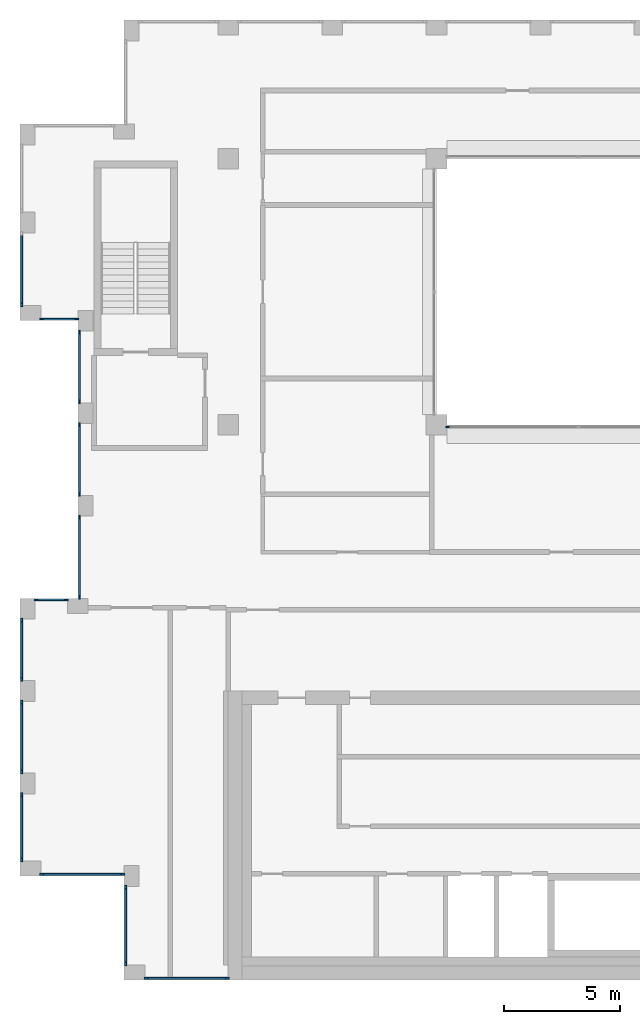
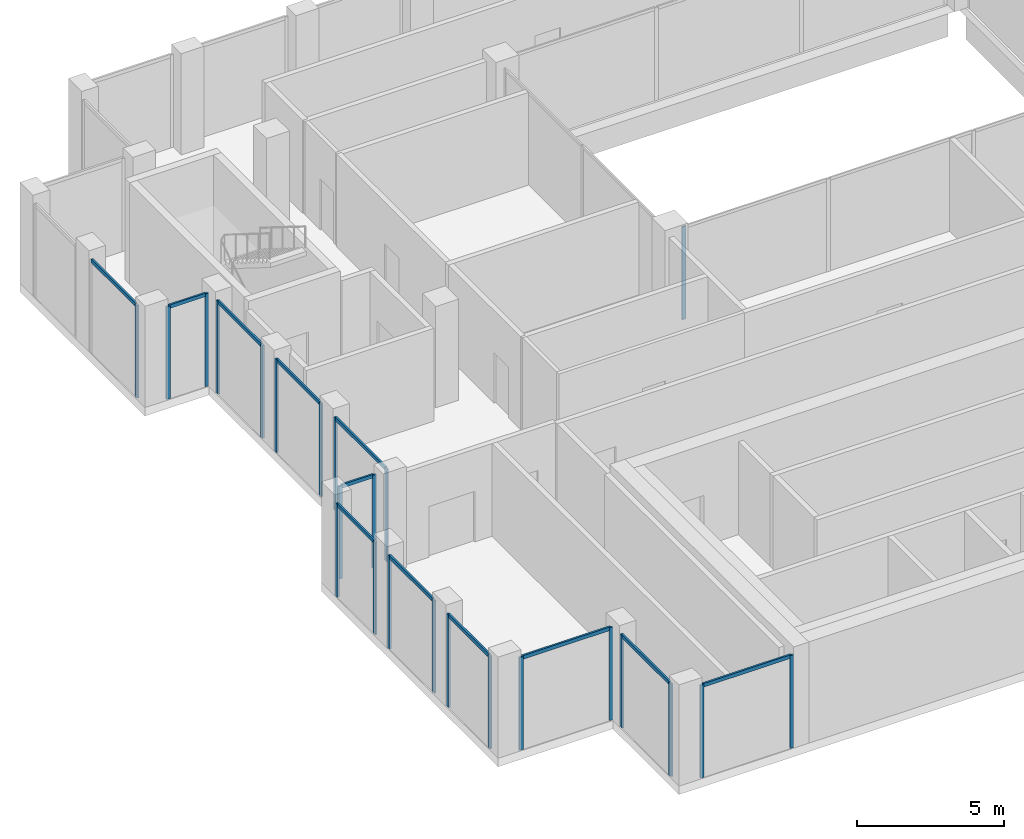
# One storey, part 2 of 15: 36 members, 13 elements without a shape of their own.
"""IFC4 building model written with IfcOpenShell, lengths in metres."""

from ifc_helpers import new_model, si_unit, direction, frame, origin, origin_2d, place, context, subcontext, project, spatial, rectangle, extrude, material, layer, layer_set, material_profile, profile_set, type_object, element, aggregate, save


model = new_model("IFC4")

# Units and contexts
model_context = context("Model", 3, precision=1e-05, world=origin(), true_north=direction((0.0, 1.0)))
body_context = subcontext(model_context, "Body", "Model", "MODEL_VIEW")
ifc_project = project(units=[si_unit("LENGTHUNIT", "METRE"), si_unit("AREAUNIT", "SQUARE_METRE"), si_unit("VOLUMEUNIT", "CUBIC_METRE"), si_unit("PLANEANGLEUNIT", "RADIAN"), si_unit("MASSUNIT", "GRAM", prefix="KILO")], contexts=[model_context])

# Site, building, storey
site_placement = place(None, origin())
site = spatial("IfcSite", under=ifc_project, at=site_placement, CompositionType="ELEMENT")
building_placement = place(site_placement, origin())
building = spatial("IfcBuilding", under=site, at=building_placement, Name="Brigalow Station Residences", CompositionType="ELEMENT")
storey_placement = place(building_placement, frame((0.0, 0.0, 240.0)))
storey = spatial("IfcBuildingStorey", under=building, at=storey_placement, Name="L69", CompositionType="ELEMENT", Elevation=240.0)

# Curtain wall, member
ifc_material_1 = material(Name="Aluminium", Category="aluminium")
ifc_layer_1 = layer(ifc_material_1, 0.14990234375)
ifc_layer_set_1 = layer_set([ifc_layer_1], Name="ATRIUM FIRE-RATED GLAZING CURTAIN WALL")
curtain_wall_type_1 = type_object("IfcCurtainWallType", Name="ATRIUM FIRE-RATED GLAZING CURTAIN WALL", PredefinedType="NOTDEFINED", material=ifc_layer_set_1)
curtain_wall_1_placement = place(storey_placement, origin())
curtain_wall_1 = element("IfcCurtainWall", 1, at=curtain_wall_1_placement, inside=storey, type_object=curtain_wall_type_1, Name="L69/cw/atrium-S", PredefinedType="NOTDEFINED")
ifc_material_2 = material(Name="Aluminium", Category="aluminium")
ifc_material_profile_1 = material_profile(ifc_material_2, rectangle(XDim=0.06005859375, YDim=0.14990234375, at=origin_2d()), Name="ATRIUM FIRE-RATED GLAZING MULLION 60x150")
ifc_profile_set_1 = profile_set([ifc_material_profile_1], Name="Aluminium")
member_type_1 = type_object("IfcMemberType", Name="ATRIUM FIRE-RATED GLAZING MULLION 60x150", PredefinedType="MULLION", material=ifc_profile_set_1)
member_1_placement = place(storey_placement, frame((27.47998046875, 23.89990234375, 0.0), z_axis=(0.0, 0.0, 1.0), x_axis=(0.0, 1.0, 0.0)))
member_1 = element("IfcMember", 2, at=member_1_placement, type_object=member_type_1, Name="L69/cw/atrium-S/M00", PredefinedType="MULLION", context=body_context, shape_type="SweptSolid", body=[
    extrude(rectangle(XDim=0.06005859375, YDim=0.14990234375, at=origin_2d()), origin(), (0.0, 0.0, 1.0), 3.85009765625),
])
aggregate(curtain_wall_1, [member_1])

# Curtain wall, members
ifc_material_3 = material(Name="Aluminium", Category="aluminium")
ifc_layer_2 = layer(ifc_material_3, 0.14990234375)
ifc_layer_set_2 = layer_set([ifc_layer_2], Name="CROWN CURTAIN WALL")
curtain_wall_type_2 = type_object("IfcCurtainWallType", Name="CROWN CURTAIN WALL", PredefinedType="NOTDEFINED", material=ifc_layer_set_2)
curtain_wall_2_placement = place(storey_placement, origin())
curtain_wall_2 = element("IfcCurtainWall", 3, at=curtain_wall_2_placement, inside=storey, type_object=curtain_wall_type_2, Name="L69/cw/crown-W-L69-1-1", PredefinedType="NOTDEFINED")
ifc_material_4 = material(Name="Aluminium", Category="aluminium")
ifc_material_profile_2 = material_profile(ifc_material_4, rectangle(XDim=0.074951171875, YDim=0.14990234375, at=origin_2d()), Name="CROWN MULLION 75x150")
ifc_profile_set_2 = profile_set([ifc_material_profile_2], Name="Aluminium")
member_type_2 = type_object("IfcMemberType", Name="CROWN MULLION 75x150", PredefinedType="MULLION", material=ifc_profile_set_2)
member_2_placement = place(storey_placement, frame((14.4375, 0.074951171875, 0.0), z_axis=(0.0, 0.0, 1.0), x_axis=(0.0, 1.0, 0.0)))
member_2 = element("IfcMember", 4, at=member_2_placement, type_object=member_type_2, Name="L69/cw/crown-W-L69-1-1/M00", PredefinedType="MULLION", context=body_context, shape_type="SweptSolid", body=[
    extrude(rectangle(XDim=0.074951171875, YDim=0.14990234375, at=origin_2d()), origin(), (0.0, 0.0, 1.0), 3.85009765625),
])
member_3_placement = place(storey_placement, frame((17.96240234375, 0.074951171875, 0.0), z_axis=(0.0, 0.0, 1.0), x_axis=(0.0, 1.0, 0.0)))
member_3 = element("IfcMember", 5, at=member_3_placement, type_object=member_type_2, Name="L69/cw/crown-W-L69-1-1/M01", PredefinedType="MULLION", context=body_context, shape_type="SweptSolid", body=[
    extrude(rectangle(XDim=0.074951171875, YDim=0.14990234375, at=origin_2d()), origin(), (0.0, 0.0, 1.0), 3.85009765625),
])

# Curtain wall, member
curtain_wall_3_placement = place(storey_placement, origin())
curtain_wall_3 = element("IfcCurtainWall", 6, at=curtain_wall_3_placement, inside=storey, type_object=curtain_wall_type_2, Name="L69/cw/crown-W-L69-34-34", PredefinedType="NOTDEFINED")
member_4_placement = place(storey_placement, frame((9.074951171875, 29.1875, 0.0), z_axis=(0.0, 0.0, 1.0), x_axis=(1.0, 0.0, 0.0)))
member_4 = element("IfcMember", 7, at=member_4_placement, type_object=member_type_2, Name="L69/cw/crown-W-L69-34-34/M01", PredefinedType="MULLION", context=body_context, shape_type="SweptSolid", body=[
    extrude(rectangle(XDim=0.074951171875, YDim=0.14990234375, at=origin_2d()), origin(), (0.0, 0.0, 1.0), 3.85009765625),
])

# Curtain wall, members
curtain_wall_4_placement = place(storey_placement, origin())
curtain_wall_4 = element("IfcCurtainWall", 8, at=curtain_wall_4_placement, inside=storey, type_object=curtain_wall_type_2, Name="L69/cw/crown-W-L69-36-35", PredefinedType="NOTDEFINED")
member_5_placement = place(storey_placement, frame((9.9375, 28.574951171875, 0.0), z_axis=(0.0, 0.0, 1.0), x_axis=(0.0, 1.0, 0.0)))
member_5 = element("IfcMember", 9, at=member_5_placement, type_object=member_type_2, Name="L69/cw/crown-W-L69-36-35/M00", PredefinedType="MULLION", context=body_context, shape_type="SweptSolid", body=[
    extrude(rectangle(XDim=0.074951171875, YDim=0.14990234375, at=origin_2d()), origin(), (0.0, 0.0, 1.0), 3.85009765625),
])
member_6_placement = place(storey_placement, frame((11.46240234375, 28.574951171875, 0.0), z_axis=(0.0, 0.0, 1.0), x_axis=(0.0, 1.0, 0.0)))
member_6 = element("IfcMember", 10, at=member_6_placement, type_object=member_type_2, Name="L69/cw/crown-W-L69-36-35/M01", PredefinedType="MULLION", context=body_context, shape_type="SweptSolid", body=[
    extrude(rectangle(XDim=0.074951171875, YDim=0.14990234375, at=origin_2d()), origin(), (0.0, 0.0, 1.0), 3.85009765625),
])

curtain_wall_5_placement = place(storey_placement, origin())
curtain_wall_5 = element("IfcCurtainWall", 11, at=curtain_wall_5_placement, inside=storey, type_object=curtain_wall_type_2, Name="L69/cw/crown-W-L69-37-36", PredefinedType="NOTDEFINED")
member_7_placement = place(storey_placement, frame((11.574951171875, 28.012451171875, 0.0), z_axis=(0.0, 0.0, 1.0), x_axis=(1.0, 0.0, 0.0)))
member_7 = element("IfcMember", 12, at=member_7_placement, type_object=member_type_2, Name="L69/cw/crown-W-L69-37-36/M00", PredefinedType="MULLION", context=body_context, shape_type="SweptSolid", body=[
    extrude(rectangle(XDim=0.074951171875, YDim=0.14990234375, at=origin_2d()), origin(), (0.0, 0.0, 1.0), 3.85009765625),
])
member_8_placement = place(storey_placement, frame((11.574951171875, 24.987548828125, 0.0), z_axis=(0.0, 0.0, 1.0), x_axis=(1.0, 0.0, 0.0)))
member_8 = element("IfcMember", 13, at=member_8_placement, type_object=member_type_2, Name="L69/cw/crown-W-L69-37-36/M01", PredefinedType="MULLION", context=body_context, shape_type="SweptSolid", body=[
    extrude(rectangle(XDim=0.074951171875, YDim=0.14990234375, at=origin_2d()), origin(), (0.0, 0.0, 1.0), 3.85009765625),
])

curtain_wall_6_placement = place(storey_placement, origin())
curtain_wall_6 = element("IfcCurtainWall", 14, at=curtain_wall_6_placement, inside=storey, type_object=curtain_wall_type_2, Name="L69/cw/crown-W-L69-37-37", PredefinedType="NOTDEFINED")
member_9_placement = place(storey_placement, frame((11.574951171875, 24.012451171875, 0.0), z_axis=(0.0, 0.0, 1.0), x_axis=(1.0, 0.0, 0.0)))
member_9 = element("IfcMember", 15, at=member_9_placement, type_object=member_type_2, Name="L69/cw/crown-W-L69-37-37/M00", PredefinedType="MULLION", context=body_context, shape_type="SweptSolid", body=[
    extrude(rectangle(XDim=0.074951171875, YDim=0.14990234375, at=origin_2d()), origin(), (0.0, 0.0, 1.0), 3.85009765625),
])
member_10_placement = place(storey_placement, frame((11.574951171875, 20.987548828125, 0.0), z_axis=(0.0, 0.0, 1.0), x_axis=(1.0, 0.0, 0.0)))
member_10 = element("IfcMember", 16, at=member_10_placement, type_object=member_type_2, Name="L69/cw/crown-W-L69-37-37/M01", PredefinedType="MULLION", context=body_context, shape_type="SweptSolid", body=[
    extrude(rectangle(XDim=0.074951171875, YDim=0.14990234375, at=origin_2d()), origin(), (0.0, 0.0, 1.0), 3.85009765625),
])

curtain_wall_7_placement = place(storey_placement, origin())
curtain_wall_7 = element("IfcCurtainWall", 17, at=curtain_wall_7_placement, inside=storey, type_object=curtain_wall_type_2, Name="L69/cw/crown-W-L69-37-38", PredefinedType="NOTDEFINED")
member_11_placement = place(storey_placement, frame((11.574951171875, 20.012451171875, 0.0), z_axis=(0.0, 0.0, 1.0), x_axis=(1.0, 0.0, 0.0)))
member_11 = element("IfcMember", 18, at=member_11_placement, type_object=member_type_2, Name="L69/cw/crown-W-L69-37-38/M00", PredefinedType="MULLION", context=body_context, shape_type="SweptSolid", body=[
    extrude(rectangle(XDim=0.074951171875, YDim=0.14990234375, at=origin_2d()), origin(), (0.0, 0.0, 1.0), 3.85009765625),
])
member_12_placement = place(storey_placement, frame((11.574951171875, 16.53759765625, 0.0), z_axis=(0.0, 0.0, 1.0), x_axis=(1.0, 0.0, 0.0)))
member_12 = element("IfcMember", 19, at=member_12_placement, type_object=member_type_2, Name="L69/cw/crown-W-L69-37-38/M01", PredefinedType="MULLION", context=body_context, shape_type="SweptSolid", body=[
    extrude(rectangle(XDim=0.074951171875, YDim=0.14990234375, at=origin_2d()), origin(), (0.0, 0.0, 1.0), 3.85009765625),
])

curtain_wall_8_placement = place(storey_placement, origin())
curtain_wall_8 = element("IfcCurtainWall", 20, at=curtain_wall_8_placement, inside=storey, type_object=curtain_wall_type_2, Name="L69/cw/crown-W-L69-40-39", PredefinedType="NOTDEFINED")
member_13_placement = place(storey_placement, frame((11.012451171875, 16.425048828125, 0.0), z_axis=(0.0, 0.0, 1.0), x_axis=(0.0, -1.0, 0.0)))
member_13 = element("IfcMember", 21, at=member_13_placement, type_object=member_type_2, Name="L69/cw/crown-W-L69-40-39/M00", PredefinedType="MULLION", context=body_context, shape_type="SweptSolid", body=[
    extrude(rectangle(XDim=0.074951171875, YDim=0.14990234375, at=origin_2d()), origin(), (0.0, 0.0, 1.0), 3.85009765625),
])
member_14_placement = place(storey_placement, frame((9.6875, 16.425048828125, 0.0), z_axis=(0.0, 0.0, 1.0), x_axis=(0.0, -1.0, 0.0)))
member_14 = element("IfcMember", 22, at=member_14_placement, type_object=member_type_2, Name="L69/cw/crown-W-L69-40-39/M01", PredefinedType="MULLION", context=body_context, shape_type="SweptSolid", body=[
    extrude(rectangle(XDim=0.074951171875, YDim=0.14990234375, at=origin_2d()), origin(), (0.0, 0.0, 1.0), 3.85009765625),
])

curtain_wall_9_placement = place(storey_placement, origin())
curtain_wall_9 = element("IfcCurtainWall", 23, at=curtain_wall_9_placement, inside=storey, type_object=curtain_wall_type_2, Name="L69/cw/crown-W-L69-41-40", PredefinedType="NOTDEFINED")
member_15_placement = place(storey_placement, frame((9.074951171875, 15.5625, 0.0), z_axis=(0.0, 0.0, 1.0), x_axis=(1.0, 0.0, 0.0)))
member_15 = element("IfcMember", 24, at=member_15_placement, type_object=member_type_2, Name="L69/cw/crown-W-L69-41-40/M00", PredefinedType="MULLION", context=body_context, shape_type="SweptSolid", body=[
    extrude(rectangle(XDim=0.074951171875, YDim=0.14990234375, at=origin_2d()), origin(), (0.0, 0.0, 1.0), 3.85009765625),
])
member_16_placement = place(storey_placement, frame((9.074951171875, 12.987548828125, 0.0), z_axis=(0.0, 0.0, 1.0), x_axis=(1.0, 0.0, 0.0)))
member_16 = element("IfcMember", 25, at=member_16_placement, type_object=member_type_2, Name="L69/cw/crown-W-L69-41-40/M01", PredefinedType="MULLION", context=body_context, shape_type="SweptSolid", body=[
    extrude(rectangle(XDim=0.074951171875, YDim=0.14990234375, at=origin_2d()), origin(), (0.0, 0.0, 1.0), 3.85009765625),
])

curtain_wall_10_placement = place(storey_placement, origin())
curtain_wall_10 = element("IfcCurtainWall", 26, at=curtain_wall_10_placement, inside=storey, type_object=curtain_wall_type_2, Name="L69/cw/crown-W-L69-41-41", PredefinedType="NOTDEFINED")
member_17_placement = place(storey_placement, frame((9.074951171875, 12.012451171875, 0.0), z_axis=(0.0, 0.0, 1.0), x_axis=(1.0, 0.0, 0.0)))
member_17 = element("IfcMember", 27, at=member_17_placement, type_object=member_type_2, Name="L69/cw/crown-W-L69-41-41/M00", PredefinedType="MULLION", context=body_context, shape_type="SweptSolid", body=[
    extrude(rectangle(XDim=0.074951171875, YDim=0.14990234375, at=origin_2d()), origin(), (0.0, 0.0, 1.0), 3.85009765625),
])
member_18_placement = place(storey_placement, frame((9.074951171875, 8.987548828125, 0.0), z_axis=(0.0, 0.0, 1.0), x_axis=(1.0, 0.0, 0.0)))
member_18 = element("IfcMember", 28, at=member_18_placement, type_object=member_type_2, Name="L69/cw/crown-W-L69-41-41/M01", PredefinedType="MULLION", context=body_context, shape_type="SweptSolid", body=[
    extrude(rectangle(XDim=0.074951171875, YDim=0.14990234375, at=origin_2d()), origin(), (0.0, 0.0, 1.0), 3.85009765625),
])

curtain_wall_11_placement = place(storey_placement, origin())
curtain_wall_11 = element("IfcCurtainWall", 29, at=curtain_wall_11_placement, inside=storey, type_object=curtain_wall_type_2, Name="L69/cw/crown-W-L69-41-42", PredefinedType="NOTDEFINED")
member_19_placement = place(storey_placement, frame((9.074951171875, 8.012451171875, 0.0), z_axis=(0.0, 0.0, 1.0), x_axis=(1.0, 0.0, 0.0)))
member_19 = element("IfcMember", 30, at=member_19_placement, type_object=member_type_2, Name="L69/cw/crown-W-L69-41-42/M00", PredefinedType="MULLION", context=body_context, shape_type="SweptSolid", body=[
    extrude(rectangle(XDim=0.074951171875, YDim=0.14990234375, at=origin_2d()), origin(), (0.0, 0.0, 1.0), 3.85009765625),
])
member_20_placement = place(storey_placement, frame((9.074951171875, 5.1875, 0.0), z_axis=(0.0, 0.0, 1.0), x_axis=(1.0, 0.0, 0.0)))
member_20 = element("IfcMember", 31, at=member_20_placement, type_object=member_type_2, Name="L69/cw/crown-W-L69-41-42/M01", PredefinedType="MULLION", context=body_context, shape_type="SweptSolid", body=[
    extrude(rectangle(XDim=0.074951171875, YDim=0.14990234375, at=origin_2d()), origin(), (0.0, 0.0, 1.0), 3.85009765625),
])

curtain_wall_12_placement = place(storey_placement, origin())
curtain_wall_12 = element("IfcCurtainWall", 32, at=curtain_wall_12_placement, inside=storey, type_object=curtain_wall_type_2, Name="L69/cw/crown-W-L69-44-43", PredefinedType="NOTDEFINED")
member_21_placement = place(storey_placement, frame((9.9375, 4.574951171875, 0.0), z_axis=(0.0, 0.0, 1.0), x_axis=(0.0, 1.0, 0.0)))
member_21 = element("IfcMember", 33, at=member_21_placement, type_object=member_type_2, Name="L69/cw/crown-W-L69-44-43/M00", PredefinedType="MULLION", context=body_context, shape_type="SweptSolid", body=[
    extrude(rectangle(XDim=0.074951171875, YDim=0.14990234375, at=origin_2d()), origin(), (0.0, 0.0, 1.0), 3.85009765625),
])
member_22_placement = place(storey_placement, frame((13.46240234375, 4.574951171875, 0.0), z_axis=(0.0, 0.0, 1.0), x_axis=(0.0, 1.0, 0.0)))
member_22 = element("IfcMember", 34, at=member_22_placement, type_object=member_type_2, Name="L69/cw/crown-W-L69-44-43/M01", PredefinedType="MULLION", context=body_context, shape_type="SweptSolid", body=[
    extrude(rectangle(XDim=0.074951171875, YDim=0.14990234375, at=origin_2d()), origin(), (0.0, 0.0, 1.0), 3.85009765625),
])

curtain_wall_13_placement = place(storey_placement, origin())
curtain_wall_13 = element("IfcCurtainWall", 35, at=curtain_wall_13_placement, inside=storey, type_object=curtain_wall_type_2, Name="L69/cw/crown-W-L69-45-44", PredefinedType="NOTDEFINED")
member_23_placement = place(storey_placement, frame((13.574951171875, 4.012451171875, 0.0), z_axis=(0.0, 0.0, 1.0), x_axis=(1.0, 0.0, 0.0)))
member_23 = element("IfcMember", 36, at=member_23_placement, type_object=member_type_2, Name="L69/cw/crown-W-L69-45-44/M00", PredefinedType="MULLION", context=body_context, shape_type="SweptSolid", body=[
    extrude(rectangle(XDim=0.074951171875, YDim=0.14990234375, at=origin_2d()), origin(), (0.0, 0.0, 1.0), 3.85009765625),
])
member_24_placement = place(storey_placement, frame((13.574951171875, 0.6875, 0.0), z_axis=(0.0, 0.0, 1.0), x_axis=(1.0, 0.0, 0.0)))
member_24 = element("IfcMember", 37, at=member_24_placement, type_object=member_type_2, Name="L69/cw/crown-W-L69-45-44/M01", PredefinedType="MULLION", context=body_context, shape_type="SweptSolid", body=[
    extrude(rectangle(XDim=0.074951171875, YDim=0.14990234375, at=origin_2d()), origin(), (0.0, 0.0, 1.0), 3.85009765625),
])

# Member
ifc_material_5 = material(Name="Aluminium", Category="aluminium")
ifc_material_profile_3 = material_profile(ifc_material_5, rectangle(XDim=0.074951171875, YDim=0.14990234375, at=origin_2d()), Name="CROWN TRANSOM 75x150")
ifc_profile_set_3 = profile_set([ifc_material_profile_3], Name="Aluminium")
member_type_3 = type_object("IfcMemberType", Name="CROWN TRANSOM 75x150", PredefinedType="USERDEFINED", material=ifc_profile_set_3)
member_25_placement = place(storey_placement, frame((14.47509765625, 0.074951171875, 3.8125), z_axis=(1.0, 0.0, 0.0), x_axis=(0.0, 1.0, 0.0)))
member_25 = element("IfcMember", 38, at=member_25_placement, type_object=member_type_3, Name="L69/cw/crown-W-L69-1-1/T00-00", ObjectType="TRANSOM", PredefinedType="USERDEFINED", context=body_context, shape_type="SweptSolid", body=[
    extrude(rectangle(XDim=0.074951171875, YDim=0.14990234375, at=origin_2d()), origin(), (0.0, 0.0, 1.0), 3.449951171875),
])

aggregate(curtain_wall_2, [member_2, member_3, member_25])

member_26_placement = place(storey_placement, frame((9.074951171875, 32.22509765625, 3.8125), z_axis=(0.0, -1.0, 0.0), x_axis=(1.0, 0.0, 0.0)))
member_26 = element("IfcMember", 39, at=member_26_placement, type_object=member_type_3, Name="L69/cw/crown-W-L69-34-34/T00-00", ObjectType="TRANSOM", PredefinedType="USERDEFINED", context=body_context, shape_type="SweptSolid", body=[
    extrude(rectangle(XDim=0.074951171875, YDim=0.14990234375, at=origin_2d()), origin(), (0.0, 0.0, 1.0), 3.0),
])

aggregate(curtain_wall_3, [member_4, member_26])

member_27_placement = place(storey_placement, frame((9.97509765625, 28.574951171875, 3.8125), z_axis=(1.0, 0.0, 0.0), x_axis=(0.0, 1.0, 0.0)))
member_27 = element("IfcMember", 40, at=member_27_placement, type_object=member_type_3, Name="L69/cw/crown-W-L69-36-35/T00-00", ObjectType="TRANSOM", PredefinedType="USERDEFINED", context=body_context, shape_type="SweptSolid", body=[
    extrude(rectangle(XDim=0.074951171875, YDim=0.14990234375, at=origin_2d()), origin(), (0.0, 0.0, 1.0), 1.449951171875),
])

aggregate(curtain_wall_4, [member_5, member_6, member_27])

member_28_placement = place(storey_placement, frame((11.574951171875, 27.97509765625, 3.8125), z_axis=(0.0, -1.0, 0.0), x_axis=(1.0, 0.0, 0.0)))
member_28 = element("IfcMember", 41, at=member_28_placement, type_object=member_type_3, Name="L69/cw/crown-W-L69-37-36/T00-00", ObjectType="TRANSOM", PredefinedType="USERDEFINED", context=body_context, shape_type="SweptSolid", body=[
    extrude(rectangle(XDim=0.074951171875, YDim=0.14990234375, at=origin_2d()), origin(), (0.0, 0.0, 1.0), 2.9501953125),
])

aggregate(curtain_wall_5, [member_7, member_8, member_28])

member_29_placement = place(storey_placement, frame((11.574951171875, 23.97509765625, 3.8125), z_axis=(0.0, -1.0, 0.0), x_axis=(1.0, 0.0, 0.0)))
member_29 = element("IfcMember", 42, at=member_29_placement, type_object=member_type_3, Name="L69/cw/crown-W-L69-37-37/T00-00", ObjectType="TRANSOM", PredefinedType="USERDEFINED", context=body_context, shape_type="SweptSolid", body=[
    extrude(rectangle(XDim=0.074951171875, YDim=0.14990234375, at=origin_2d()), origin(), (0.0, 0.0, 1.0), 2.9501953125),
])

aggregate(curtain_wall_6, [member_9, member_10, member_29])

member_30_placement = place(storey_placement, frame((11.574951171875, 19.97509765625, 3.8125), z_axis=(0.0, -1.0, 0.0), x_axis=(1.0, 0.0, 0.0)))
member_30 = element("IfcMember", 43, at=member_30_placement, type_object=member_type_3, Name="L69/cw/crown-W-L69-37-38/T00-00", ObjectType="TRANSOM", PredefinedType="USERDEFINED", context=body_context, shape_type="SweptSolid", body=[
    extrude(rectangle(XDim=0.074951171875, YDim=0.14990234375, at=origin_2d()), origin(), (0.0, 0.0, 1.0), 3.400146484375),
])

aggregate(curtain_wall_7, [member_11, member_12, member_30])

member_31_placement = place(storey_placement, frame((10.97509765625, 16.425048828125, 3.8125), z_axis=(-1.0, 0.0, 0.0), x_axis=(0.0, -1.0, 0.0)))
member_31 = element("IfcMember", 44, at=member_31_placement, type_object=member_type_3, Name="L69/cw/crown-W-L69-40-39/T00-00", ObjectType="TRANSOM", PredefinedType="USERDEFINED", context=body_context, shape_type="SweptSolid", body=[
    extrude(rectangle(XDim=0.074951171875, YDim=0.14990234375, at=origin_2d()), origin(), (0.0, 0.0, 1.0), 1.25),
])

aggregate(curtain_wall_8, [member_13, member_14, member_31])

member_32_placement = place(storey_placement, frame((9.074951171875, 15.52490234375, 3.8125), z_axis=(0.0, -1.0, 0.0), x_axis=(1.0, 0.0, 0.0)))
member_32 = element("IfcMember", 45, at=member_32_placement, type_object=member_type_3, Name="L69/cw/crown-W-L69-41-40/T00-00", ObjectType="TRANSOM", PredefinedType="USERDEFINED", context=body_context, shape_type="SweptSolid", body=[
    extrude(rectangle(XDim=0.074951171875, YDim=0.14990234375, at=origin_2d()), origin(), (0.0, 0.0, 1.0), 2.5),
])

aggregate(curtain_wall_9, [member_15, member_16, member_32])

member_33_placement = place(storey_placement, frame((9.074951171875, 11.97509765625, 3.8125), z_axis=(0.0, -1.0, 0.0), x_axis=(1.0, 0.0, 0.0)))
member_33 = element("IfcMember", 46, at=member_33_placement, type_object=member_type_3, Name="L69/cw/crown-W-L69-41-41/T00-00", ObjectType="TRANSOM", PredefinedType="USERDEFINED", context=body_context, shape_type="SweptSolid", body=[
    extrude(rectangle(XDim=0.074951171875, YDim=0.14990234375, at=origin_2d()), origin(), (0.0, 0.0, 1.0), 2.9501953125),
])

aggregate(curtain_wall_10, [member_17, member_18, member_33])

member_34_placement = place(storey_placement, frame((9.074951171875, 7.97509765625, 3.8125), z_axis=(0.0, -1.0, 0.0), x_axis=(1.0, 0.0, 0.0)))
member_34 = element("IfcMember", 47, at=member_34_placement, type_object=member_type_3, Name="L69/cw/crown-W-L69-41-42/T00-00", ObjectType="TRANSOM", PredefinedType="USERDEFINED", context=body_context, shape_type="SweptSolid", body=[
    extrude(rectangle(XDim=0.074951171875, YDim=0.14990234375, at=origin_2d()), origin(), (0.0, 0.0, 1.0), 2.75),
])

aggregate(curtain_wall_11, [member_19, member_20, member_34])

member_35_placement = place(storey_placement, frame((9.97509765625, 4.574951171875, 3.8125), z_axis=(1.0, 0.0, 0.0), x_axis=(0.0, 1.0, 0.0)))
member_35 = element("IfcMember", 48, at=member_35_placement, type_object=member_type_3, Name="L69/cw/crown-W-L69-44-43/T00-00", ObjectType="TRANSOM", PredefinedType="USERDEFINED", context=body_context, shape_type="SweptSolid", body=[
    extrude(rectangle(XDim=0.074951171875, YDim=0.14990234375, at=origin_2d()), origin(), (0.0, 0.0, 1.0), 3.449951171875),
])

aggregate(curtain_wall_12, [member_21, member_22, member_35])

member_36_placement = place(storey_placement, frame((13.574951171875, 3.97509765625, 3.8125), z_axis=(0.0, -1.0, 0.0), x_axis=(1.0, 0.0, 0.0)))
member_36 = element("IfcMember", 49, at=member_36_placement, type_object=member_type_3, Name="L69/cw/crown-W-L69-45-44/T00-00", ObjectType="TRANSOM", PredefinedType="USERDEFINED", context=body_context, shape_type="SweptSolid", body=[
    extrude(rectangle(XDim=0.074951171875, YDim=0.14990234375, at=origin_2d()), origin(), (0.0, 0.0, 1.0), 3.25),
])

aggregate(curtain_wall_13, [member_23, member_24, member_36])

save(model, "model.ifc")
